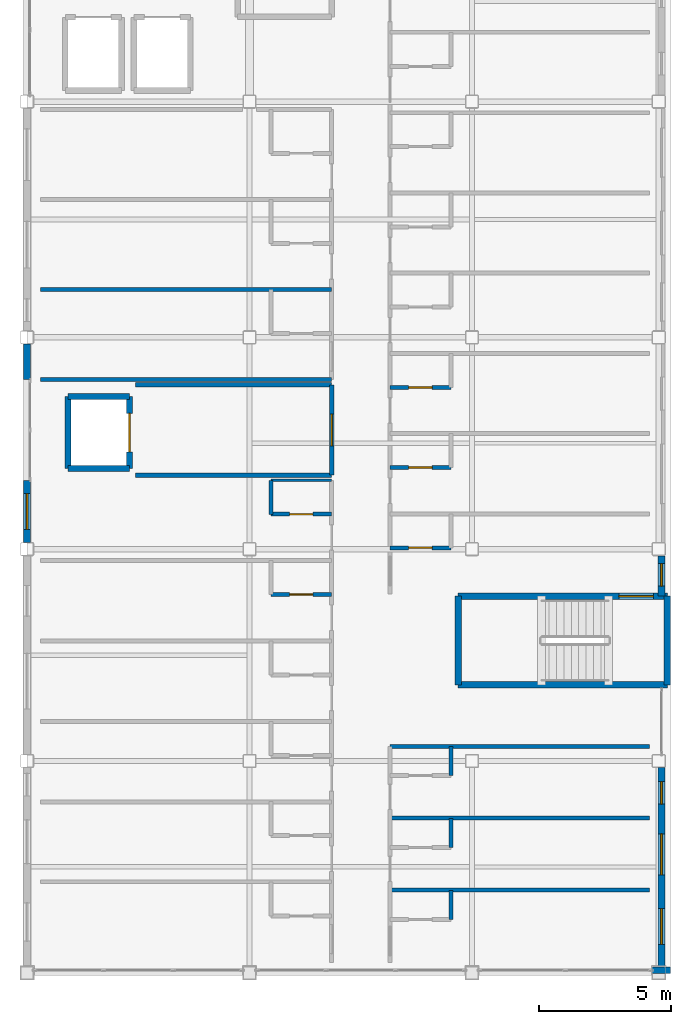
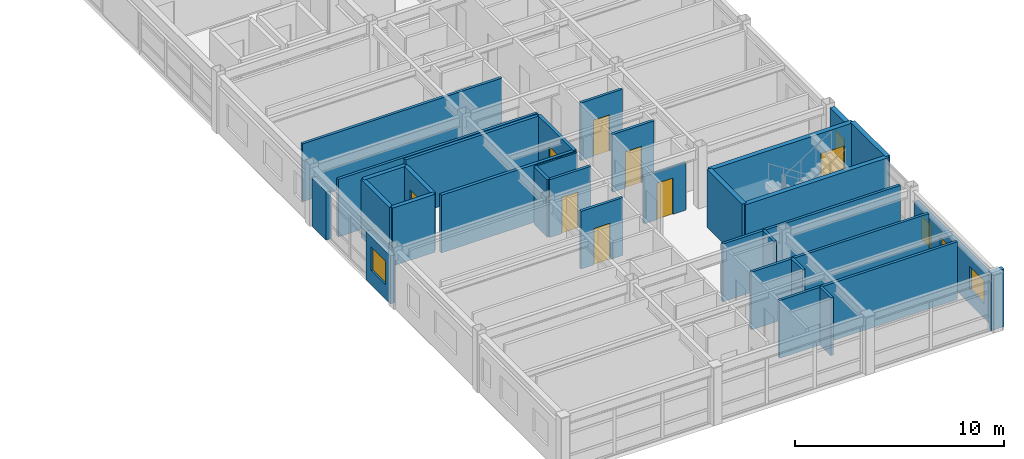
# One storey, part 24 of 33: 31 walls, 8 doors, 5 windows, 13 openings.
"""IFC4 building model written with IfcOpenShell, lengths in metres."""

import ifcopenshell
import ifcopenshell.guid

model = None  # the IFC model being written
_history = None  # IfcOwnerHistory: only IFC2X3 demands one
_inside = {}  # id of a spatial element -> (the spatial element, [elements in it])
_under = {}  # id of a project, library or spatial element -> (it, [spatial elements below it])
_declared = {}  # id of a project -> (the project, [libraries it declares])
_typed = {}  # id of a type object -> (the type object, [elements of that type])
_made_of = {}  # id of a material, layer set ... -> (it, [elements and type objects made of it])


def new_model(schema):
    """Start an empty IFC model of exactly this schema.

    Asked for "IFC4X3", IfcOpenShell would pick the latest addendum, in which some entities
    have other attributes; the version numbers below select the first issue.
    IFC2X3 requires an IfcOwnerHistory on every rooted entity: one is made here for all.
    """
    global model, _history
    if schema == "IFC4X3":
        model = ifcopenshell.file(schema_version=(4, 3, 0, 0))
    else:
        model = ifcopenshell.file(schema=schema)
    _inside.clear()
    _under.clear()
    _declared.clear()
    _typed.clear()
    _made_of.clear()
    _history = None
    if model.schema == "IFC2X3":
        org = make("IfcOrganization", Name="unknown")
        user = make(
            "IfcPersonAndOrganization",
            ThePerson=make("IfcPerson", FamilyName="unknown"),
            TheOrganization=org,
        )
        app = make(
            "IfcApplication",
            ApplicationDeveloper=org,
            Version="unknown",
            ApplicationFullName="unknown",
            ApplicationIdentifier="unknown",
        )
        _history = make(
            "IfcOwnerHistory",
            OwningUser=user,
            OwningApplication=app,
            ChangeAction="ADDED",
            CreationDate=0,
        )
    return model


def make(cls, **values):
    """One entity of the class cls with the attributes given. An attribute that is None is left unset."""
    return model.create_entity(
        cls, **{name: value for name, value in values.items() if value is not None}
    )


def rooted(cls, **values):
    """An entity with a GlobalId (a new one), such as an element, a storey or a relation."""
    return make(cls, GlobalId=ifcopenshell.guid.new(), OwnerHistory=_history, **values)


def si_unit(unit_type, name, prefix=None):
    """IfcSIUnit, for example si_unit("LENGTHUNIT", "METRE", prefix="MILLI")."""
    return make("IfcSIUnit", UnitType=unit_type, Prefix=prefix, Name=name)


def assignment(units):
    """IfcUnitAssignment: the units of a project."""
    return None if units is None else make("IfcUnitAssignment", Units=units)


def point(xyz):
    """IfcCartesianPoint."""
    return None if xyz is None else make("IfcCartesianPoint", Coordinates=xyz)


def direction(xyz):
    """IfcDirection."""
    return None if xyz is None else make("IfcDirection", DirectionRatios=xyz)


def frame(location, z_axis=None, x_axis=None):
    """IfcAxis2Placement3D, a coordinate frame: its origin and axes. An axis left out is left unset."""
    return make(
        "IfcAxis2Placement3D",
        Location=point(location),
        Axis=direction(z_axis),
        RefDirection=direction(x_axis),
    )


def frame_2d(location, x_axis=None):
    """IfcAxis2Placement2D, a coordinate frame in the plane: its origin and x axis."""
    return make(
        "IfcAxis2Placement2D", Location=point(location), RefDirection=direction(x_axis)
    )


def origin():
    """The frame at (0, 0, 0) with its axes left unset."""
    return frame((0.0, 0.0, 0.0))


def place(relative_to, where):
    """IfcLocalPlacement: puts the frame where relative to a parent placement (None: the world)."""
    return make(
        "IfcLocalPlacement", PlacementRelTo=relative_to, RelativePlacement=where
    )


def context(
    kind, dimensions, precision=None, world=None, true_north=None, identifier=None
):
    """IfcGeometricRepresentationContext, for example the 3D "Model" context."""
    return make(
        "IfcGeometricRepresentationContext",
        ContextIdentifier=identifier,
        ContextType=kind,
        CoordinateSpaceDimension=dimensions,
        Precision=precision,
        WorldCoordinateSystem=world,
        TrueNorth=true_north,
    )


def subcontext(parent, identifier, kind, view, scale=None):
    """IfcGeometricRepresentationSubContext, for example "Body" below "Model"."""
    return make(
        "IfcGeometricRepresentationSubContext",
        ContextIdentifier=identifier,
        ContextType=kind,
        ParentContext=parent,
        TargetScale=scale,
        TargetView=view,
    )


def project(units=None, contexts=None):
    """IfcProject with its units and contexts."""
    return rooted(
        "IfcProject",
        Name="project",
        RepresentationContexts=contexts,
        UnitsInContext=assignment(units),
    )


def spatial(cls, under=None, at=None, **own):
    """A site, building, storey or space (cls), placed at a placement, below another one or the project."""
    s = rooted(cls, ObjectPlacement=at, **own)
    if under is not None:
        _under.setdefault(under.id(), (under, []))[1].append(s)
    return s


def profile(cls, at=None, kind="AREA", **sizes):
    """A parametric profile (cls). Its sizes go by their IFC names, for example OverallWidth=200.0."""
    return make(cls, ProfileType=kind, Position=at, **sizes)


def rectangle(**sizes):
    """IfcRectangleProfileDef."""
    return profile("IfcRectangleProfileDef", **sizes)


def extrude(swept, where, along, depth):
    """IfcExtrudedAreaSolid: the profile swept, set in the frame where, extruded along a direction by depth."""
    return make(
        "IfcExtrudedAreaSolid",
        SweptArea=swept,
        Position=where,
        ExtrudedDirection=direction(along),
        Depth=depth,
    )


def shape(context_of_items, identifier, shape_type, items):
    """IfcShapeRepresentation: the items that make up one representation, for example the "Body"."""
    return make(
        "IfcShapeRepresentation",
        ContextOfItems=context_of_items,
        RepresentationIdentifier=identifier,
        RepresentationType=shape_type,
        Items=items,
    )


def material(Name=None, Category=None):
    """IfcMaterial."""
    return make("IfcMaterial", Name=Name, Category=Category)


def layer(
    of_material, thickness, ventilated=None, Name=None, Category=None, Priority=None
):
    """IfcMaterialLayer: one layer of a wall or slab, of a material (None: an air gap)."""
    return make(
        "IfcMaterialLayer",
        Material=of_material,
        LayerThickness=thickness,
        IsVentilated=ventilated,
        Name=Name,
        Category=Category,
        Priority=Priority,
    )


def layer_set(layers, Name=None):
    """IfcMaterialLayerSet."""
    return make("IfcMaterialLayerSet", MaterialLayers=layers, LayerSetName=Name)


def made_of(thing, what):
    """Note that an element or type object is made of a material, layer set ...; save() writes the relation."""
    if what is not None:
        _made_of.setdefault(what.id(), (what, []))[1].append(thing)
    return thing


def type_object(cls, material=None, **own):
    """A type object (cls), such as IfcWallType, which elements share."""
    return made_of(rooted(cls, **own), material)


def element(
    cls,
    number,
    at=None,
    inside=None,
    cuts=None,
    type_object=None,
    material=None,
    context=None,
    identifier="Body",
    shape_type=None,
    held_by="IfcProductDefinitionShape",
    body=None,
    shapes=None,
    **own,
):
    """One element of the class cls, such as IfcWall. Its Tag is "e" and its number.

    at: its placement. inside: the storey or other place that contains it. cuts: it is an
    opening in that element (IfcRelVoidsElement). A single representation is given by context,
    identifier, shape_type and body (its items); several are given by shapes. held_by: the class
    of the entity that holds the representations. save() writes the other relations.
    """
    e = rooted(cls, Tag="e%d" % number, ObjectPlacement=at, **own)
    if body is not None:
        shapes = [shape(context, identifier, shape_type, body)]
    if shapes is not None:
        e.Representation = make(held_by, Representations=shapes)
    if inside is not None:
        _inside.setdefault(inside.id(), (inside, []))[1].append(e)
    if cuts is not None:
        rooted(
            "IfcRelVoidsElement", RelatingBuildingElement=cuts, RelatedOpeningElement=e
        )
    if type_object is not None:
        _typed.setdefault(type_object.id(), (type_object, []))[1].append(e)
    return made_of(e, material)


def fill(opening, filler):
    """IfcRelFillsElement: the door or window that sits in an opening."""
    return rooted(
        "IfcRelFillsElement",
        RelatingOpeningElement=opening,
        RelatedBuildingElement=filler,
    )


def aggregate(whole, parts):
    """IfcRelAggregates: a whole, such as a stair, and the parts it consists of."""
    return rooted("IfcRelAggregates", RelatingObject=whole, RelatedObjects=parts)


def save(model, path):
    """Write the relations noted so far, then the file.

    IfcRelAggregates (storeys below a building ...), IfcRelContainedInSpatialStructure (elements
    in a storey), IfcRelDefinesByType, IfcRelAssociatesMaterial and IfcRelDeclares: one each for
    every whole, place, type object, material and project.
    """
    for whole, parts in _under.values():
        aggregate(whole, parts)
    for where, things in _inside.values():
        rooted(
            "IfcRelContainedInSpatialStructure",
            RelatedElements=things,
            RelatingStructure=where,
        )
    for kind, things in _typed.values():
        rooted("IfcRelDefinesByType", RelatedObjects=things, RelatingType=kind)
    for what, things in _made_of.values():
        rooted("IfcRelAssociatesMaterial", RelatedObjects=things, RelatingMaterial=what)
    for by, libraries in _declared.values():
        rooted("IfcRelDeclares", RelatingContext=by, RelatedDefinitions=libraries)
    model.write(path)


model = new_model("IFC4")

# Units and contexts
model_context = context("Model", 3, precision=1e-05, world=origin(), true_north=direction((0.0, 1.0)))
body_context = subcontext(model_context, "Body", "Model", "MODEL_VIEW")
ifc_project = project(units=[si_unit("LENGTHUNIT", "METRE"), si_unit("AREAUNIT", "SQUARE_METRE"), si_unit("VOLUMEUNIT", "CUBIC_METRE"), si_unit("PLANEANGLEUNIT", "RADIAN"), si_unit("MASSUNIT", "GRAM", prefix="KILO")], contexts=[model_context])

# Site, building, storey
site_placement = place(None, origin())
site = spatial("IfcSite", under=ifc_project, at=site_placement, CompositionType="ELEMENT")
building_placement = place(site_placement, origin())
building = spatial("IfcBuilding", under=site, at=building_placement, Name="Kazehara Bluff Congress Hotel", CompositionType="ELEMENT")
storey_placement = place(building_placement, frame((0.0, 0.0, 39.0)))
storey = spatial("IfcBuildingStorey", under=building, at=storey_placement, Name="L09", CompositionType="ELEMENT", Elevation=39.0)

# Walls
ifc_material_1 = material(Name="Concrete C40/50", Category="concrete")
ifc_layer_1 = layer(ifc_material_1, 0.25)
ifc_layer_set_1 = layer_set([ifc_layer_1], Name="Concrete C40/50")
wall_type_1 = type_object("IfcWallType", Name="TP-CW-RC", PredefinedType="SHEAR", material=ifc_layer_set_1)
for number, where, z_axis, x_axis, name in (
    (1, (167.875, 22.22509765625, 0.0), (0.0, 0.0, 1.0), (0.0, -1.0, 0.0), "L09 ST-10 core wall near"),
    (2, (159.97509765625, 18.875, 0.0), (0.0, 0.0, 1.0), (0.0, 1.0, 0.0), "L09 ST-10 core wall far"),
):
    element("IfcWall", number, at=place(storey_placement, frame(where, z_axis=z_axis, x_axis=x_axis)), inside=storey, type_object=wall_type_1, Name=name, PredefinedType="SHEAR", context=body_context, shape_type="SweptSolid", body=[
        extrude(rectangle(XDim=3.35009765625, YDim=0.25, at=frame_2d((1.675048828125, 0.0))), origin(), (0.0, 0.0, 1.0), 3.3798828125),
    ])

# Wall, opening, door
wall_1_placement = place(storey_placement, frame((159.97509765625, 22.22509765625, 0.0), z_axis=(0.0, 0.0, 1.0), x_axis=(1.0, 0.0, 0.0)))
wall_1 = element("IfcWall", 3, at=wall_1_placement, inside=storey, type_object=wall_type_1, Name="L09 ST-10 core wall left", PredefinedType="SHEAR", context=body_context, shape_type="SweptSolid", body=[
    extrude(rectangle(XDim=7.89990234375, YDim=0.25, at=frame_2d((3.949951171875, 0.0))), origin(), (0.0, 0.0, 1.0), 3.3798828125),
])
opening_1_placement = place(wall_1_placement, frame((6.074951171875, 0.0, 0.0)))
opening_1 = element("IfcOpeningElement", 4, at=opening_1_placement, cuts=wall_1, Name="Opening FD-01", PredefinedType="OPENING", context=body_context, shape_type="SweptSolid", body=[
    extrude(rectangle(XDim=1.300048828125, YDim=2.199951171875, at=frame_2d((0.64990234375, 1.10009765625))), frame((0.0, 0.135009765625, 0.0), z_axis=(0.0, -1.0, 0.0), x_axis=(1.0, 0.0, 0.0)), (0.0, 0.0, 1.0), 0.27001953125),
])
ifc_material_2 = material(Name="Fire-rated painted steel leaf", Category="steel")
door_type_1 = type_object("IfcDoorType", Name="TP-FD-01", OperationType="NOTDEFINED", PredefinedType="DOOR", material=ifc_material_2)
door_1_placement = place(opening_1_placement, origin())
door_1 = element("IfcDoor", 5, at=door_1_placement, inside=storey, type_object=door_type_1, Name="L09 ST-10 fire stair door", OperationType="SINGLE_SWING_LEFT", OverallHeight=2.199951171875, OverallWidth=1.300048828125, PredefinedType="DOOR", context=body_context, shape_type="SweptSolid", body=[
    extrude(rectangle(XDim=1.300048828125, YDim=2.199951171875, at=frame_2d((0.64990234375, 1.10009765625))), frame((0.0, 0.02490234375, 0.0), z_axis=(0.0, -1.0, 0.0), x_axis=(1.0, 0.0, 0.0)), (0.0, 0.0, 1.0), 0.050048828125),
])
fill(opening_1, door_1)

# Walls
wall_2_placement = place(storey_placement, frame((167.875, 18.875, 0.0), z_axis=(0.0, 0.0, 1.0), x_axis=(-1.0, 0.0, 0.0)))
element("IfcWall", 6, at=wall_2_placement, inside=storey, type_object=wall_type_1, Name="L09 ST-10 core wall right", PredefinedType="SHEAR", context=body_context, shape_type="SweptSolid", body=[
    extrude(rectangle(XDim=7.89990234375, YDim=0.25, at=frame_2d((3.949951171875, 0.0))), origin(), (0.0, 0.0, 1.0), 3.3798828125),
])
ifc_material_3 = material(Name="Precast concrete C40/50", Category="concrete")
ifc_layer_2 = layer(ifc_material_3, 0.239990234375)
ifc_layer_set_2 = layer_set([ifc_layer_2], Name="Precast concrete C40/50")
wall_type_2 = type_object("IfcWallType", Name="TP-EW-240", PredefinedType="SOLIDWALL", material=ifc_layer_set_2)
wall_3_placement = place(storey_placement, frame((168.0, 8.10009765625, 0.0), z_axis=(0.0, 0.0, 1.0), x_axis=(-1.0, 0.0, 0.0)))
element("IfcWall", 7, at=wall_3_placement, inside=storey, type_object=wall_type_2, Name="L09 V5 perimeter spandrel pier 752", PredefinedType="SOLIDWALL", context=body_context, shape_type="SweptSolid", body=[
    extrude(rectangle(XDim=0.699951171875, YDim=0.239990234375, at=frame_2d((0.35009765625, 0.0))), origin(), (0.0, 0.0, 1.0), 3.364990234375),
])

# Wall, openings, windows
ifc_material_4 = material(Name="Precast concrete C40/50", Category="concrete")
ifc_layer_3 = layer(ifc_material_4, 0.260009765625)
ifc_layer_set_3 = layer_set([ifc_layer_3], Name="Precast concrete C40/50")
wall_type_3 = type_object("IfcWallType", Name="TP-EW-260", PredefinedType="SOLIDWALL", material=ifc_layer_set_3)
wall_4_placement = place(storey_placement, frame((167.64990234375, 15.75, 0.0), z_axis=(0.0, 0.0, 1.0), x_axis=(0.0, -1.0, 0.0)))
wall_4 = element("IfcWall", 8, at=wall_4_placement, inside=storey, type_object=wall_type_3, Name="L09 hotel facade panel 130", PredefinedType="SOLIDWALL", context=body_context, shape_type="SweptSolid", body=[
    extrude(rectangle(XDim=7.5, YDim=0.260009765625, at=frame_2d((3.75, 0.0))), origin(), (0.0, 0.0, 1.0), 2.7548828125),
])
opening_2_placement = place(wall_4_placement, frame((5.320068359375, 0.0, 0.85009765625)))
opening_2 = element("IfcOpeningElement", 9, at=opening_2_placement, cuts=wall_4, Name="Opening WN-11", PredefinedType="OPENING", context=body_context, shape_type="SweptSolid", body=[
    extrude(rectangle(XDim=1.35009765625, YDim=1.35009765625, at=frame_2d((0.675048828125, 0.675048828125))), frame((0.0, 0.139892578125, 0.0), z_axis=(0.0, -1.0, 0.0), x_axis=(1.0, 0.0, 0.0)), (0.0, 0.0, 1.0), 0.280029296875),
])
opening_3_placement = place(wall_4_placement, frame((2.5, 0.0, 0.85009765625)))
opening_3 = element("IfcOpeningElement", 10, at=opening_3_placement, cuts=wall_4, Name="Opening WN-21", PredefinedType="OPENING", context=body_context, shape_type="SweptSolid", body=[
    extrude(rectangle(XDim=1.550048828125, YDim=1.35009765625, at=frame_2d((0.77490234375, 0.675048828125))), frame((0.0, 0.139892578125, 0.0), z_axis=(0.0, -1.0, 0.0), x_axis=(1.0, 0.0, 0.0)), (0.0, 0.0, 1.0), 0.280029296875),
])
opening_4_placement = place(wall_4_placement, frame((0.530029296875, 0.0, 0.85009765625)))
opening_4 = element("IfcOpeningElement", 11, at=opening_4_placement, cuts=wall_4, Name="Opening WN-55", PredefinedType="OPENING", context=body_context, shape_type="SweptSolid", body=[
    extrude(rectangle(XDim=0.85009765625, YDim=1.35009765625, at=frame_2d((0.425048828125, 0.675048828125))), frame((0.0, 0.139892578125, 0.0), z_axis=(0.0, -1.0, 0.0), x_axis=(1.0, 0.0, 0.0)), (0.0, 0.0, 1.0), 0.280029296875),
])
ifc_material_5 = material(Name="Insulated low-E double glazing", Category="glass")
window_type_1 = type_object("IfcWindowType", Name="TP-WN-11", PartitioningType="SINGLE_PANEL", PredefinedType="WINDOW", material=ifc_material_5)
window_1_placement = place(opening_2_placement, origin())
window_1 = element("IfcWindow", 12, at=window_1_placement, inside=storey, type_object=window_type_1, Name="L09 guestroom window WN-11 253", OverallHeight=1.35009765625, OverallWidth=1.35009765625, PartitioningType="SINGLE_PANEL", PredefinedType="WINDOW", context=body_context, shape_type="SweptSolid", body=[
    extrude(rectangle(XDim=1.35009765625, YDim=1.35009765625, at=frame_2d((0.675048828125, 0.675048828125))), frame((0.0, 0.030029296875, 0.0), z_axis=(0.0, -1.0, 0.0), x_axis=(1.0, 0.0, 0.0)), (0.0, 0.0, 1.0), 0.06005859375),
])
fill(opening_2, window_1)
ifc_material_6 = material(Name="Insulated low-E double glazing", Category="glass")
window_type_2 = type_object("IfcWindowType", Name="TP-WN-21", PartitioningType="SINGLE_PANEL", PredefinedType="WINDOW", material=ifc_material_6)
window_2_placement = place(opening_3_placement, origin())
window_2 = element("IfcWindow", 13, at=window_2_placement, inside=storey, type_object=window_type_2, Name="L09 guestroom window WN-21 254", OverallHeight=1.35009765625, OverallWidth=1.550048828125, PartitioningType="SINGLE_PANEL", PredefinedType="WINDOW", context=body_context, shape_type="SweptSolid", body=[
    extrude(rectangle(XDim=1.550048828125, YDim=1.35009765625, at=frame_2d((0.77490234375, 0.675048828125))), frame((0.0, 0.030029296875, 0.0), z_axis=(0.0, -1.0, 0.0), x_axis=(1.0, 0.0, 0.0)), (0.0, 0.0, 1.0), 0.06005859375),
])
fill(opening_3, window_2)
ifc_material_7 = material(Name="Insulated low-E double glazing", Category="glass")
window_type_3 = type_object("IfcWindowType", Name="TP-WN-55", PartitioningType="SINGLE_PANEL", PredefinedType="WINDOW", material=ifc_material_7)
window_3_placement = place(opening_4_placement, origin())
window_3 = element("IfcWindow", 14, at=window_3_placement, inside=storey, type_object=window_type_3, Name="L09 guestroom window WN-55 255", OverallHeight=1.35009765625, OverallWidth=0.85009765625, PartitioningType="SINGLE_PANEL", PredefinedType="WINDOW", context=body_context, shape_type="SweptSolid", body=[
    extrude(rectangle(XDim=0.85009765625, YDim=1.35009765625, at=frame_2d((0.425048828125, 0.675048828125))), frame((0.0, 0.030029296875, 0.0), z_axis=(0.0, -1.0, 0.0), x_axis=(1.0, 0.0, 0.0)), (0.0, 0.0, 1.0), 0.06005859375),
])
fill(opening_4, window_3)

# Wall, opening, window
wall_5_placement = place(storey_placement, frame((167.64990234375, 23.75, 0.0), z_axis=(0.0, 0.0, 1.0), x_axis=(0.0, -1.0, 0.0)))
wall_5 = element("IfcWall", 15, at=wall_5_placement, inside=storey, type_object=wall_type_3, Name="L09 hotel facade panel 131", PredefinedType="SOLIDWALL", context=body_context, shape_type="SweptSolid", body=[
    extrude(rectangle(XDim=1.52490234375, YDim=0.260009765625, at=frame_2d((0.762451171875, 0.0))), origin(), (0.0, 0.0, 1.0), 3.364990234375),
])
opening_5_placement = place(wall_5_placement, frame((0.300048828125, 0.0, 0.85009765625)))
opening_5 = element("IfcOpeningElement", 16, at=opening_5_placement, cuts=wall_5, Name="Opening WN-55", PredefinedType="OPENING", context=body_context, shape_type="SweptSolid", body=[
    extrude(rectangle(XDim=0.85009765625, YDim=1.35009765625, at=frame_2d((0.425048828125, 0.675048828125))), frame((0.0, 0.139892578125, 0.0), z_axis=(0.0, -1.0, 0.0), x_axis=(1.0, 0.0, 0.0)), (0.0, 0.0, 1.0), 0.280029296875),
])
window_4_placement = place(opening_5_placement, origin())
window_4 = element("IfcWindow", 17, at=window_4_placement, inside=storey, type_object=window_type_3, Name="L09 guestroom window WN-55 256", OverallHeight=1.35009765625, OverallWidth=0.85009765625, PartitioningType="SINGLE_PANEL", PredefinedType="WINDOW", context=body_context, shape_type="SweptSolid", body=[
    extrude(rectangle(XDim=0.85009765625, YDim=1.35009765625, at=frame_2d((0.425048828125, 0.675048828125))), frame((0.0, 0.030029296875, 0.0), z_axis=(0.0, -1.0, 0.0), x_axis=(1.0, 0.0, 0.0)), (0.0, 0.0, 1.0), 0.06005859375),
])
fill(opening_5, window_4)

wall_6_placement = place(storey_placement, frame((143.699951171875, 24.25, 0.0), z_axis=(0.0, 0.0, 1.0), x_axis=(0.0, 1.0, 0.0)))
wall_6 = element("IfcWall", 18, at=wall_6_placement, inside=storey, type_object=wall_type_3, Name="L09 hotel facade panel 142", PredefinedType="SOLIDWALL", context=body_context, shape_type="SweptSolid", body=[
    extrude(rectangle(XDim=2.35009765625, YDim=0.260009765625, at=frame_2d((1.175048828125, 0.0))), origin(), (0.0, 0.0, 1.0), 2.804931640625),
])
opening_6_placement = place(wall_6_placement, frame((0.5, 0.0, 0.85009765625)))
opening_6 = element("IfcOpeningElement", 19, at=opening_6_placement, cuts=wall_6, Name="Opening WN-11", PredefinedType="OPENING", context=body_context, shape_type="SweptSolid", body=[
    extrude(rectangle(XDim=1.35009765625, YDim=1.35009765625, at=frame_2d((0.675048828125, 0.675048828125))), frame((0.0, 0.139892578125, 0.0), z_axis=(0.0, -1.0, 0.0), x_axis=(1.0, 0.0, 0.0)), (0.0, 0.0, 1.0), 0.280029296875),
])
window_5_placement = place(opening_6_placement, origin())
window_5 = element("IfcWindow", 20, at=window_5_placement, inside=storey, type_object=window_type_1, Name="L09 guestroom window WN-11 279", OverallHeight=1.35009765625, OverallWidth=1.35009765625, PartitioningType="SINGLE_PANEL", PredefinedType="WINDOW", context=body_context, shape_type="SweptSolid", body=[
    extrude(rectangle(XDim=1.35009765625, YDim=1.35009765625, at=frame_2d((0.675048828125, 0.675048828125))), frame((0.0, 0.030029296875, 0.0), z_axis=(0.0, -1.0, 0.0), x_axis=(1.0, 0.0, 0.0)), (0.0, 0.0, 1.0), 0.06005859375),
])
fill(opening_6, window_5)

# Walls
wall_7_placement = place(storey_placement, frame((143.699951171875, 30.39990234375, 0.0), z_axis=(0.0, 0.0, 1.0), x_axis=(0.0, 1.0, 0.0)))
element("IfcWall", 21, at=wall_7_placement, inside=storey, type_object=wall_type_3, Name="L09 hotel facade panel 143", PredefinedType="SOLIDWALL", context=body_context, shape_type="SweptSolid", body=[
    extrude(rectangle(XDim=1.35009765625, YDim=0.260009765625, at=frame_2d((0.675048828125, 0.0))), origin(), (0.0, 0.0, 1.0), 2.804931640625),
])
ifc_material_8 = material(Name="Fire-rated gypsum board stud partition")
ifc_layer_4 = layer(ifc_material_8, 0.094970703125)
ifc_layer_set_4 = layer_set([ifc_layer_4], Name="Fire-rated gypsum board stud partition")
wall_type_4 = type_object("IfcWallType", Name="TP-PT-095", PredefinedType="PARTITIONING", material=ifc_layer_set_4)
wall_8_placement = place(storey_placement, frame((152.89990234375, 26.60009765625, 0.0), z_axis=(0.0, 0.0, 1.0), x_axis=(1.0, 0.0, 0.0)))
element("IfcWall", 22, at=wall_8_placement, inside=storey, type_object=wall_type_4, Name="L09 partition PT-095 1185", PredefinedType="PARTITIONING", context=body_context, shape_type="SweptSolid", body=[
    extrude(rectangle(XDim=2.300048828125, YDim=0.094970703125, at=frame_2d((1.14990234375, 0.0))), origin(), (0.0, 0.0, 1.0), 3.364990234375),
])
ifc_material_9 = material(Name="Fire-rated gypsum board stud partition")
ifc_layer_5 = layer(ifc_material_9, 0.14990234375)
ifc_layer_set_5 = layer_set([ifc_layer_5], Name="Fire-rated gypsum board stud partition")
wall_type_5 = type_object("IfcWallType", Name="TP-PT-150", PredefinedType="PARTITIONING", material=ifc_layer_set_5)
for number, where, z_axis, x_axis, name in (
    (23, (157.39990234375, 11.1201171875, 0.0), (0.0, 0.0, 1.0), (1.0, 0.0, 0.0), "L09 partition PT-150 1168"),
    (24, (157.39990234375, 13.840087890625, 0.0), (0.0, 0.0, 1.0), (1.0, 0.0, 0.0), "L09 partition PT-150 1172"),
    (25, (157.39990234375, 16.550048828125, 0.0), (0.0, 0.0, 1.0), (1.0, 0.0, 0.0), "L09 partition PT-150 1176"),
):
    element("IfcWall", number, at=place(storey_placement, frame(where, z_axis=z_axis, x_axis=x_axis)), inside=storey, type_object=wall_type_5, Name=name, PredefinedType="PARTITIONING", context=body_context, shape_type="SweptSolid", body=[
        extrude(rectangle(XDim=9.800048828125, YDim=0.14990234375, at=frame_2d((4.89990234375, 0.0))), origin(), (0.0, 0.0, 1.0), 3.364990234375),
    ])

# Wall, opening, door
wall_9_placement = place(storey_placement, frame((152.89990234375, 22.2900390625, 0.0), z_axis=(0.0, 0.0, 1.0), x_axis=(1.0, 0.0, 0.0)))
wall_9 = element("IfcWall", 26, at=wall_9_placement, inside=storey, type_object=wall_type_5, Name="L09 partition PT-150 1180", PredefinedType="PARTITIONING", context=body_context, shape_type="SweptSolid", body=[
    extrude(rectangle(XDim=2.300048828125, YDim=0.14990234375, at=frame_2d((1.14990234375, 0.0))), origin(), (0.0, 0.0, 1.0), 3.364990234375),
])
opening_7_placement = place(wall_9_placement, frame((0.7099609375, 0.0, 0.0)))
opening_7 = element("IfcOpeningElement", 27, at=opening_7_placement, cuts=wall_9, Name="Opening BD-02", PredefinedType="OPENING", context=body_context, shape_type="SweptSolid", body=[
    extrude(rectangle(XDim=0.8798828125, YDim=2.1201171875, at=frame_2d((0.43994140625, 1.06005859375))), frame((0.0, 0.0849609375, 0.0), z_axis=(0.0, -1.0, 0.0), x_axis=(1.0, 0.0, 0.0)), (0.0, 0.0, 1.0), 0.169921875),
])
ifc_material_10 = material(Name="Architectural oak veneer leaf")
door_type_2 = type_object("IfcDoorType", Name="TP-BD-02", OperationType="NOTDEFINED", PredefinedType="DOOR", material=ifc_material_10)
door_2_placement = place(opening_7_placement, origin())
door_2 = element("IfcDoor", 28, at=door_2_placement, inside=storey, type_object=door_type_2, Name="L09 En-suite Bathroom 257 door", OperationType="SINGLE_SWING_RIGHT", OverallHeight=2.1201171875, OverallWidth=0.8798828125, PredefinedType="DOOR", context=body_context, shape_type="SweptSolid", body=[
    extrude(rectangle(XDim=0.8798828125, YDim=2.1201171875, at=frame_2d((0.43994140625, 1.06005859375))), frame((0.0, 0.02490234375, 0.0), z_axis=(0.0, -1.0, 0.0), x_axis=(1.0, 0.0, 0.0)), (0.0, 0.0, 1.0), 0.050048828125),
])
fill(opening_7, door_2)

wall_10_placement = place(storey_placement, frame((157.39990234375, 24.050048828125, 0.0), z_axis=(0.0, 0.0, 1.0), x_axis=(1.0, 0.0, 0.0)))
wall_10 = element("IfcWall", 29, at=wall_10_placement, inside=storey, type_object=wall_type_5, Name="L09 partition PT-150 1182", PredefinedType="PARTITIONING", context=body_context, shape_type="SweptSolid", body=[
    extrude(rectangle(XDim=2.300048828125, YDim=0.14990234375, at=frame_2d((1.14990234375, 0.0))), origin(), (0.0, 0.0, 1.0), 2.7548828125),
])
opening_8_placement = place(wall_10_placement, frame((0.7099609375, 0.0, 0.0)))
opening_8 = element("IfcOpeningElement", 30, at=opening_8_placement, cuts=wall_10, Name="Opening BD-02", PredefinedType="OPENING", context=body_context, shape_type="SweptSolid", body=[
    extrude(rectangle(XDim=0.8798828125, YDim=2.1201171875, at=frame_2d((0.43994140625, 1.06005859375))), frame((0.0, 0.0849609375, 0.0), z_axis=(0.0, -1.0, 0.0), x_axis=(1.0, 0.0, 0.0)), (0.0, 0.0, 1.0), 0.169921875),
])
door_3_placement = place(opening_8_placement, origin())
door_3 = element("IfcDoor", 31, at=door_3_placement, inside=storey, type_object=door_type_2, Name="L09 En-suite Bathroom 277 door", OperationType="SINGLE_SWING_RIGHT", OverallHeight=2.1201171875, OverallWidth=0.8798828125, PredefinedType="DOOR", context=body_context, shape_type="SweptSolid", body=[
    extrude(rectangle(XDim=0.8798828125, YDim=2.1201171875, at=frame_2d((0.43994140625, 1.06005859375))), frame((0.0, 0.02490234375, 0.0), z_axis=(0.0, -1.0, 0.0), x_axis=(1.0, 0.0, 0.0)), (0.0, 0.0, 1.0), 0.050048828125),
])
fill(opening_8, door_3)

wall_11_placement = place(storey_placement, frame((152.89990234375, 25.320068359375, 0.0), z_axis=(0.0, 0.0, 1.0), x_axis=(1.0, 0.0, 0.0)))
wall_11 = element("IfcWall", 32, at=wall_11_placement, inside=storey, type_object=wall_type_5, Name="L09 partition PT-150 1183", PredefinedType="PARTITIONING", context=body_context, shape_type="SweptSolid", body=[
    extrude(rectangle(XDim=2.300048828125, YDim=0.14990234375, at=frame_2d((1.14990234375, 0.0))), origin(), (0.0, 0.0, 1.0), 3.364990234375),
])
opening_9_placement = place(wall_11_placement, frame((0.7099609375, 0.0, 0.0)))
opening_9 = element("IfcOpeningElement", 33, at=opening_9_placement, cuts=wall_11, Name="Opening BD-02", PredefinedType="OPENING", context=body_context, shape_type="SweptSolid", body=[
    extrude(rectangle(XDim=0.8798828125, YDim=2.1201171875, at=frame_2d((0.43994140625, 1.06005859375))), frame((0.0, 0.0849609375, 0.0), z_axis=(0.0, -1.0, 0.0), x_axis=(1.0, 0.0, 0.0)), (0.0, 0.0, 1.0), 0.169921875),
])
door_4_placement = place(opening_9_placement, origin())
door_4 = element("IfcDoor", 34, at=door_4_placement, inside=storey, type_object=door_type_2, Name="L09 En-suite Bathroom 258 door", OperationType="SINGLE_SWING_RIGHT", OverallHeight=2.1201171875, OverallWidth=0.8798828125, PredefinedType="DOOR", context=body_context, shape_type="SweptSolid", body=[
    extrude(rectangle(XDim=0.8798828125, YDim=2.1201171875, at=frame_2d((0.43994140625, 1.06005859375))), frame((0.0, 0.02490234375, 0.0), z_axis=(0.0, -1.0, 0.0), x_axis=(1.0, 0.0, 0.0)), (0.0, 0.0, 1.0), 0.050048828125),
])
fill(opening_9, door_4)

wall_12_placement = place(storey_placement, frame((157.39990234375, 27.080078125, 0.0), z_axis=(0.0, 0.0, 1.0), x_axis=(1.0, 0.0, 0.0)))
wall_12 = element("IfcWall", 35, at=wall_12_placement, inside=storey, type_object=wall_type_5, Name="L09 partition PT-150 1187", PredefinedType="PARTITIONING", context=body_context, shape_type="SweptSolid", body=[
    extrude(rectangle(XDim=2.300048828125, YDim=0.14990234375, at=frame_2d((1.14990234375, 0.0))), origin(), (0.0, 0.0, 1.0), 3.364990234375),
])
opening_10_placement = place(wall_12_placement, frame((0.7099609375, 0.0, 0.0)))
opening_10 = element("IfcOpeningElement", 36, at=opening_10_placement, cuts=wall_12, Name="Opening BD-02", PredefinedType="OPENING", context=body_context, shape_type="SweptSolid", body=[
    extrude(rectangle(XDim=0.8798828125, YDim=2.1201171875, at=frame_2d((0.43994140625, 1.06005859375))), frame((0.0, 0.0849609375, 0.0), z_axis=(0.0, -1.0, 0.0), x_axis=(1.0, 0.0, 0.0)), (0.0, 0.0, 1.0), 0.169921875),
])
door_5_placement = place(opening_10_placement, origin())
door_5 = element("IfcDoor", 37, at=door_5_placement, inside=storey, type_object=door_type_2, Name="L09 En-suite Bathroom 278 door", OperationType="SINGLE_SWING_RIGHT", OverallHeight=2.1201171875, OverallWidth=0.8798828125, PredefinedType="DOOR", context=body_context, shape_type="SweptSolid", body=[
    extrude(rectangle(XDim=0.8798828125, YDim=2.1201171875, at=frame_2d((0.43994140625, 1.06005859375))), frame((0.0, 0.02490234375, 0.0), z_axis=(0.0, -1.0, 0.0), x_axis=(1.0, 0.0, 0.0)), (0.0, 0.0, 1.0), 0.050048828125),
])
fill(opening_10, door_5)

wall_13_placement = place(storey_placement, frame((157.39990234375, 30.110107421875, 0.0), z_axis=(0.0, 0.0, 1.0), x_axis=(1.0, 0.0, 0.0)))
wall_13 = element("IfcWall", 38, at=wall_13_placement, inside=storey, type_object=wall_type_5, Name="L09 partition PT-150 1189", PredefinedType="PARTITIONING", context=body_context, shape_type="SweptSolid", body=[
    extrude(rectangle(XDim=2.300048828125, YDim=0.14990234375, at=frame_2d((1.14990234375, 0.0))), origin(), (0.0, 0.0, 1.0), 3.364990234375),
])
opening_11_placement = place(wall_13_placement, frame((0.7099609375, 0.0, 0.0)))
opening_11 = element("IfcOpeningElement", 39, at=opening_11_placement, cuts=wall_13, Name="Opening BD-02", PredefinedType="OPENING", context=body_context, shape_type="SweptSolid", body=[
    extrude(rectangle(XDim=0.8798828125, YDim=2.1201171875, at=frame_2d((0.43994140625, 1.06005859375))), frame((0.0, 0.0849609375, 0.0), z_axis=(0.0, -1.0, 0.0), x_axis=(1.0, 0.0, 0.0)), (0.0, 0.0, 1.0), 0.169921875),
])
door_6_placement = place(opening_11_placement, origin())
door_6 = element("IfcDoor", 40, at=door_6_placement, inside=storey, type_object=door_type_2, Name="L09 En-suite Bathroom 279 door", OperationType="SINGLE_SWING_RIGHT", OverallHeight=2.1201171875, OverallWidth=0.8798828125, PredefinedType="DOOR", context=body_context, shape_type="SweptSolid", body=[
    extrude(rectangle(XDim=0.8798828125, YDim=2.1201171875, at=frame_2d((0.43994140625, 1.06005859375))), frame((0.0, 0.02490234375, 0.0), z_axis=(0.0, -1.0, 0.0), x_axis=(1.0, 0.0, 0.0)), (0.0, 0.0, 1.0), 0.050048828125),
])
fill(opening_11, door_6)

# Walls
for number, where, z_axis, x_axis, name in (
    (41, (144.199951171875, 30.39990234375, 0.0), (0.0, 0.0, 1.0), (1.0, 0.0, 0.0), "L09 partition PT-150 1191"),
    (42, (144.199951171875, 33.800048828125, 0.0), (0.0, 0.0, 1.0), (1.0, 0.0, 0.0), "L09 partition PT-150 1195"),
):
    element("IfcWall", number, at=place(storey_placement, frame(where, z_axis=z_axis, x_axis=x_axis)), inside=storey, type_object=wall_type_5, Name=name, PredefinedType="PARTITIONING", context=body_context, shape_type="SweptSolid", body=[
        extrude(rectangle(XDim=11.0, YDim=0.14990234375, at=frame_2d((5.5, 0.0))), origin(), (0.0, 0.0, 1.0), 3.364990234375),
    ])
wall_14_placement = place(storey_placement, frame((152.89990234375, 25.31494140625, 0.0), z_axis=(0.0, 0.0, 1.0), x_axis=(0.0, 1.0, 0.0)))
element("IfcWall", 43, at=wall_14_placement, inside=storey, type_object=wall_type_5, Name="L09 partition PT-150 1268", PredefinedType="PARTITIONING", context=body_context, shape_type="SweptSolid", body=[
    extrude(rectangle(XDim=1.28515625, YDim=0.14990234375, at=frame_2d((0.642578125, 0.0))), origin(), (0.0, 0.0, 1.0), 3.364990234375),
])
wall_15_placement = place(storey_placement, frame((159.699951171875, 10.014892578125, 0.0), z_axis=(0.0, 0.0, 1.0), x_axis=(0.0, 1.0, 0.0)))
element("IfcWall", 44, at=wall_15_placement, inside=storey, type_object=wall_type_5, Name="L09 partition PT-150 1294", PredefinedType="PARTITIONING", context=body_context, shape_type="SweptSolid", body=[
    extrude(rectangle(XDim=1.10009765625, YDim=0.14990234375, at=frame_2d((0.550048828125, 0.0))), origin(), (0.0, 0.0, 1.0), 3.364990234375),
])
wall_16_placement = place(storey_placement, frame((159.699951171875, 12.735107421875, 0.0), z_axis=(0.0, 0.0, 1.0), x_axis=(0.0, 1.0, 0.0)))
element("IfcWall", 45, at=wall_16_placement, inside=storey, type_object=wall_type_5, Name="L09 partition PT-150 1295", PredefinedType="PARTITIONING", context=body_context, shape_type="SweptSolid", body=[
    extrude(rectangle(XDim=1.099853515625, YDim=0.14990234375, at=frame_2d((0.5498046875, 0.0))), origin(), (0.0, 0.0, 1.0), 3.364990234375),
])
wall_17_placement = place(storey_placement, frame((159.699951171875, 15.449951171875, 0.0), z_axis=(0.0, 0.0, 1.0), x_axis=(0.0, 1.0, 0.0)))
element("IfcWall", 46, at=wall_17_placement, inside=storey, type_object=wall_type_5, Name="L09 partition PT-150 1296", PredefinedType="PARTITIONING", context=body_context, shape_type="SweptSolid", body=[
    extrude(rectangle(XDim=1.10009765625, YDim=0.14990234375, at=frame_2d((0.550048828125, 0.0))), origin(), (0.0, 0.0, 1.0), 3.364990234375),
])
ifc_material_11 = material(Name="Fire-rated gypsum board stud partition")
ifc_layer_6 = layer(ifc_material_11, 0.169921875)
ifc_layer_set_6 = layer_set([ifc_layer_6], Name="Fire-rated gypsum board stud partition")
wall_type_6 = type_object("IfcWallType", Name="TP-PT-180", PredefinedType="PARTITIONING", material=ifc_layer_set_6)
for number, where, z_axis, x_axis, name in (
    (47, (147.800048828125, 26.800048828125, 0.0), (0.0, 0.0, 1.0), (1.0, 0.0, 0.0), "L09 partition PT-180 1186"),
    (48, (147.800048828125, 30.199951171875, 0.0), (0.0, 0.0, 1.0), (1.0, 0.0, 0.0), "L09 partition PT-180 1190"),
):
    element("IfcWall", number, at=place(storey_placement, frame(where, z_axis=z_axis, x_axis=x_axis)), inside=storey, type_object=wall_type_6, Name=name, PredefinedType="PARTITIONING", context=body_context, shape_type="SweptSolid", body=[
        extrude(rectangle(XDim=7.39990234375, YDim=0.169921875, at=frame_2d((3.699951171875, 0.0))), origin(), (0.0, 0.0, 1.0), 3.364990234375),
    ])

# Wall, opening, door
wall_18_placement = place(storey_placement, frame((155.199951171875, 26.800048828125, 0.0), z_axis=(0.0, 0.0, 1.0), x_axis=(0.0, 1.0, 0.0)))
wall_18 = element("IfcWall", 49, at=wall_18_placement, inside=storey, type_object=wall_type_6, Name="L09 partition PT-180 1285", PredefinedType="PARTITIONING", context=body_context, shape_type="SweptSolid", body=[
    extrude(rectangle(XDim=3.39990234375, YDim=0.169921875, at=frame_2d((1.699951171875, 0.0))), origin(), (0.0, 0.0, 1.0), 3.364990234375),
])
opening_12_placement = place(wall_18_placement, frame((1.10009765625, 0.0, 0.0)))
opening_12 = element("IfcOpeningElement", 50, at=opening_12_placement, cuts=wall_18, Name="Opening FD-02", PredefinedType="OPENING", context=body_context, shape_type="SweptSolid", body=[
    extrude(rectangle(XDim=1.199951171875, YDim=2.199951171875, at=frame_2d((0.60009765625, 1.10009765625))), frame((0.0, 0.094970703125, 0.0), z_axis=(0.0, -1.0, 0.0), x_axis=(1.0, 0.0, 0.0)), (0.0, 0.0, 1.0), 0.18994140625),
])
ifc_material_12 = material(Name="Fire-rated painted steel leaf", Category="steel")
door_type_3 = type_object("IfcDoorType", Name="TP-FD-02", OperationType="NOTDEFINED", PredefinedType="DOOR", material=ifc_material_12)
door_7_placement = place(opening_12_placement, origin())
door_7 = element("IfcDoor", 51, at=door_7_placement, inside=storey, type_object=door_type_3, Name="L09 L09 Service Lift Lobby door", OperationType="SINGLE_SWING_LEFT", OverallHeight=2.199951171875, OverallWidth=1.199951171875, PredefinedType="DOOR", context=body_context, shape_type="SweptSolid", body=[
    extrude(rectangle(XDim=1.199951171875, YDim=2.199951171875, at=frame_2d((0.60009765625, 1.10009765625))), frame((0.0, 0.02490234375, 0.0), z_axis=(0.0, -1.0, 0.0), x_axis=(1.0, 0.0, 0.0)), (0.0, 0.0, 1.0), 0.050048828125),
])
fill(opening_12, door_7)

# Walls
ifc_material_13 = material(Name="Concrete C40/50", Category="concrete")
ifc_layer_7 = layer(ifc_material_13, 0.219970703125)
ifc_layer_set_7 = layer_set([ifc_layer_7], Name="Concrete C40/50")
wall_type_7 = type_object("IfcWallType", Name="TP-SW-RC", PredefinedType="SHEAR", material=ifc_layer_set_7)
for number, where, z_axis, x_axis, name in (
    (52, (145.239990234375, 29.760009765625, 0.0), (0.0, 0.0, 1.0), (1.0, 0.0, 0.0), "L09 EL-S3 lift shaft wall +Y"),
    (53, (145.239990234375, 27.0400390625, 0.0), (0.0, 0.0, 1.0), (1.0, 0.0, 0.0), "L09 EL-S3 lift shaft wall -Y"),
):
    element("IfcWall", number, at=place(storey_placement, frame(where, z_axis=z_axis, x_axis=x_axis)), inside=storey, type_object=wall_type_7, Name=name, PredefinedType="SHEAR", context=body_context, shape_type="SweptSolid", body=[
        extrude(rectangle(XDim=2.320068359375, YDim=0.219970703125, at=frame_2d((1.16015625, 0.0))), origin(), (0.0, 0.0, 1.0), 3.3798828125),
    ])

# Wall, opening, door
wall_19_placement = place(storey_placement, frame((147.56005859375, 27.0400390625, 0.0), z_axis=(0.0, 0.0, 1.0), x_axis=(0.0, 1.0, 0.0)))
wall_19 = element("IfcWall", 54, at=wall_19_placement, inside=storey, type_object=wall_type_7, Name="L09 EL-S3 lift shaft wall +X", PredefinedType="SHEAR", context=body_context, shape_type="SweptSolid", body=[
    extrude(rectangle(XDim=2.719970703125, YDim=0.219970703125, at=frame_2d((1.35986328125, 0.0))), origin(), (0.0, 0.0, 1.0), 3.3798828125),
])
opening_13_placement = place(wall_19_placement, frame((0.635009765625, 0.0, 0.0)))
opening_13 = element("IfcOpeningElement", 55, at=opening_13_placement, cuts=wall_19, Name="Opening LD-04", PredefinedType="OPENING", context=body_context, shape_type="SweptSolid", body=[
    extrude(rectangle(XDim=1.449951171875, YDim=2.35009765625, at=frame_2d((0.72509765625, 1.175048828125))), frame((0.0, 0.119873046875, 0.0), z_axis=(0.0, -1.0, 0.0), x_axis=(1.0, 0.0, 0.0)), (0.0, 0.0, 1.0), 0.239990234375),
])
ifc_material_14 = material(Name="Fire-rated painted steel leaf", Category="steel")
door_type_4 = type_object("IfcDoorType", Name="TP-LD-04", OperationType="SLIDING_TO_LEFT", PredefinedType="DOOR", material=ifc_material_14)
door_8_placement = place(opening_13_placement, origin())
door_8 = element("IfcDoor", 56, at=door_8_placement, inside=storey, type_object=door_type_4, Name="L09 EL-S3 elevator landing door", OperationType="SLIDING_TO_LEFT", OverallHeight=2.35009765625, OverallWidth=1.449951171875, PredefinedType="DOOR", context=body_context, shape_type="SweptSolid", body=[
    extrude(rectangle(XDim=1.449951171875, YDim=2.35009765625, at=frame_2d((0.72509765625, 1.175048828125))), frame((0.0, 0.02490234375, 0.0), z_axis=(0.0, -1.0, 0.0), x_axis=(1.0, 0.0, 0.0)), (0.0, 0.0, 1.0), 0.050048828125),
])
fill(opening_13, door_8)

# Wall
wall_20_placement = place(storey_placement, frame((145.239990234375, 27.0400390625, 0.0), z_axis=(0.0, 0.0, 1.0), x_axis=(0.0, 1.0, 0.0)))
element("IfcWall", 57, at=wall_20_placement, inside=storey, type_object=wall_type_7, Name="L09 EL-S3 lift shaft wall -X", PredefinedType="SHEAR", context=body_context, shape_type="SweptSolid", body=[
    extrude(rectangle(XDim=2.719970703125, YDim=0.219970703125, at=frame_2d((1.35986328125, 0.0))), origin(), (0.0, 0.0, 1.0), 3.3798828125),
])

save(model, "model.ifc")
